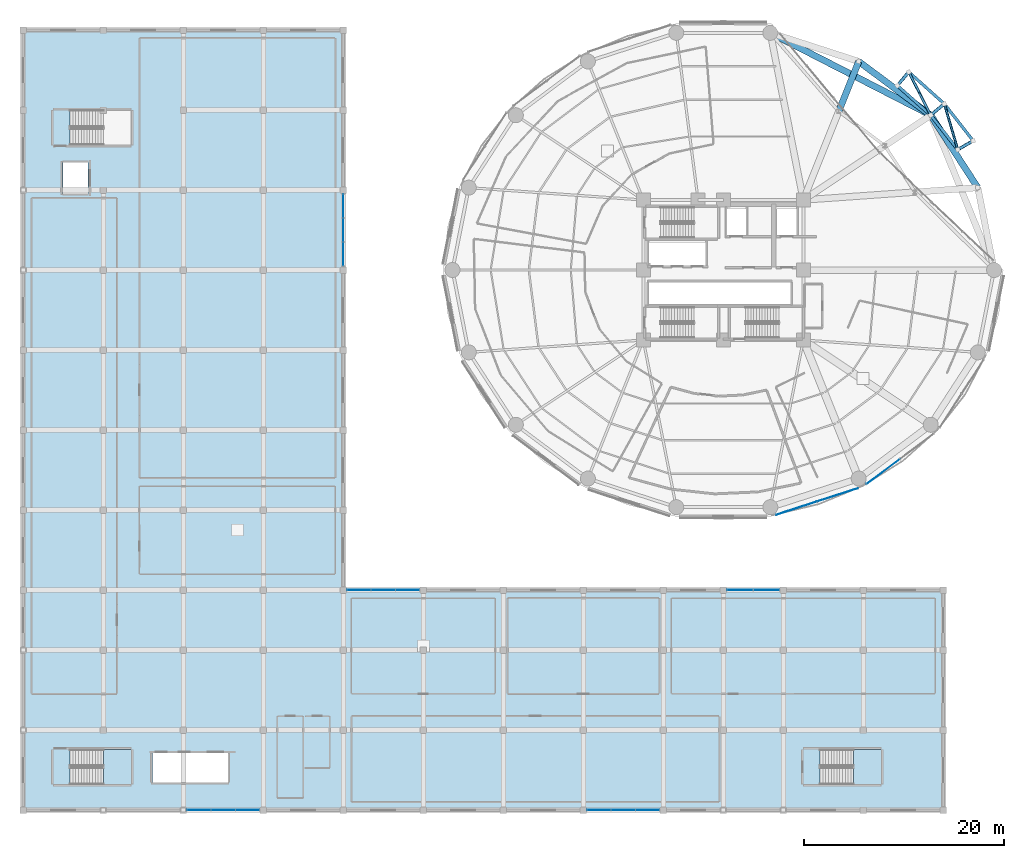
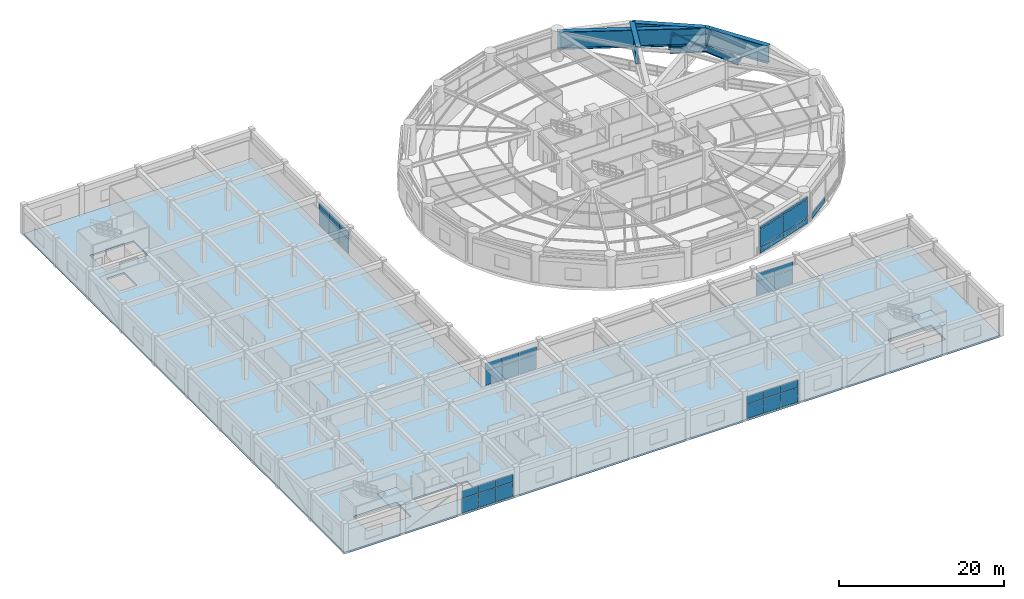
# One storey, part 36 of 52: 35 plates, 8 beams, 5 members, 3 slabs, 9 elements without a shape of their own.
"""IFC4 building model written with IfcOpenShell, lengths in metres."""

from ifc_helpers import new_model, si_unit, direction, frame, origin, origin_2d, place, context, subcontext, project, spatial, polyline, rectangle, hollow_circle, i_section, outline, extrude, source, transform, mapped, material, layer, layer_set, material_profile, profile_set, type_object, element, aggregate, save


model = new_model("IFC4")

# Units and contexts
model_context = context("Model", 3, precision=1e-05, world=origin(), true_north=direction((0.0, 1.0)))
body_context = subcontext(model_context, "Body", "Model", "MODEL_VIEW")
ifc_project = project(units=[si_unit("LENGTHUNIT", "METRE"), si_unit("AREAUNIT", "SQUARE_METRE"), si_unit("VOLUMEUNIT", "CUBIC_METRE"), si_unit("PLANEANGLEUNIT", "RADIAN"), si_unit("MASSUNIT", "GRAM", prefix="KILO")], contexts=[model_context])

# Site, building, storey
site_placement = place(None, origin())
site = spatial("IfcSite", under=ifc_project, at=site_placement, CompositionType="ELEMENT")
building_placement = place(site_placement, origin())
building = spatial("IfcBuilding", under=site, at=building_placement, Name="Kelanora Arch Commons", CompositionType="ELEMENT")
storey_placement = place(building_placement, frame((0.0, 0.0, 13.5)))
storey = spatial("IfcBuildingStorey", under=building, at=storey_placement, Name="L03", CompositionType="ELEMENT", Elevation=13.5)

# Beams
ifc_material_1 = material(Name="Steel S355", Category="steel")
ifc_material_profile_1 = material_profile(ifc_material_1, i_section(OverallWidth=0.302001953125, OverallDepth=1.008056640625, WebThickness=0.02099609375, FlangeThickness=0.0400390625, FilletRadius=0.030029296875, at=origin_2d()), Name="HEM1000")
ifc_profile_set_1 = profile_set([ifc_material_profile_1], Name="Steel S355")
beam_type_1 = type_object("IfcBeamType", Name="BM-ARCH-RIB", PredefinedType="USERDEFINED", material=ifc_profile_set_1)
beam_1_placement = place(storey_placement, frame((97.451904296875, 70.0400390625, 0.012451171875), z_axis=(-0.606334910143, 0.769974259652, 0.19874007199), x_axis=(-0.785646144125, -0.618676115767, 0.0)))
element("IfcBeam", 1, at=beam_1_placement, inside=storey, type_object=beam_type_1, Name="Parabolic Giant Arch Inner Rib 04", ObjectType="ARCH_RIB", PredefinedType="USERDEFINED", context=body_context, shape_type="SweptSolid", body=[
    extrude(i_section(OverallWidth=0.302001953125, OverallDepth=1.008056640625, WebThickness=0.02099609375, FlangeThickness=0.0400390625, FilletRadius=0.030029296875, at=origin_2d()), origin(), (0.0, 0.0, 1.0), 4.46533203125),
])
beam_2_placement = place(storey_placement, frame((98.98486328125, 70.925048828125, 1.324951171875), z_axis=(-0.602829330005, 0.771407248442, 0.203783355399), x_axis=(-0.787941404513, -0.615750227814, 0.0)))
element("IfcBeam", 2, at=beam_2_placement, inside=storey, type_object=beam_type_1, Name="Parabolic Giant Arch Outer Rib 04", ObjectType="ARCH_RIB", PredefinedType="USERDEFINED", context=body_context, shape_type="SweptSolid", body=[
    extrude(i_section(OverallWidth=0.302001953125, OverallDepth=1.008056640625, WebThickness=0.02099609375, FlangeThickness=0.0400390625, FilletRadius=0.030029296875, at=origin_2d()), origin(), (0.0, 0.0, 1.0), 4.784912109375),
])
beam_3_placement = place(storey_placement, frame((94.744384765625, 73.478271484375, 0.89990234375), z_axis=(-0.732945611445, 0.651775276011, -0.194883863478), x_axis=(-0.664516499422, -0.747273592465, 0.0)))
element("IfcBeam", 3, at=beam_3_placement, inside=storey, type_object=beam_type_1, Name="Parabolic Giant Arch Inner Rib 05", ObjectType="ARCH_RIB", PredefinedType="USERDEFINED", context=body_context, shape_type="SweptSolid", body=[
    extrude(i_section(OverallWidth=0.302001953125, OverallDepth=1.008056640625, WebThickness=0.02099609375, FlangeThickness=0.0400390625, FilletRadius=0.030029296875, at=origin_2d()), origin(), (0.0, 0.0, 1.0), 4.5537109375),
])
beam_4_placement = place(storey_placement, frame((96.100341796875, 74.6162109375, 2.300048828125), z_axis=(-0.729716597871, 0.653814047526, -0.200102169028), x_axis=(-0.667310375583, -0.744779741024, 0.0)))
element("IfcBeam", 4, at=beam_4_placement, inside=storey, type_object=beam_type_1, Name="Parabolic Giant Arch Outer Rib 05", ObjectType="ARCH_RIB", PredefinedType="USERDEFINED", context=body_context, shape_type="SweptSolid", body=[
    extrude(i_section(OverallWidth=0.302001953125, OverallDepth=1.008056640625, WebThickness=0.02099609375, FlangeThickness=0.0400390625, FilletRadius=0.030029296875, at=origin_2d()), origin(), (0.0, 0.0, 1.0), 4.873046875),
])
ifc_material_profile_2 = material_profile(ifc_material_1, i_section(OverallWidth=0.64990234375, OverallDepth=2.60009765625, WebThickness=0.034912109375, FlangeThickness=0.054931640625, FilletRadius=0.028076171875, at=origin_2d()), Name="PG2600x650")
ifc_profile_set_2 = profile_set([ifc_material_profile_2], Name="Steel S355")
beam_type_2 = type_object("IfcBeamType", Name="BM-XFER-ARCH", PredefinedType="USERDEFINED", material=ifc_profile_set_2)
beam_5_placement = place(storey_placement, frame((85.545654296875, 73.866455078125, 2.800048828125), z_axis=(0.371288801302, 0.928517434423, 0.0), x_axis=(-0.928517434423, 0.371288801302, 0.0)))
element("IfcBeam", 5, at=beam_5_placement, inside=storey, type_object=beam_type_2, Name="Radial Floor Girder BR-06 L03", ObjectType="TRANSFER_GIRDER", PredefinedType="USERDEFINED", context=body_context, shape_type="SweptSolid", body=[
    extrude(i_section(OverallWidth=0.64990234375, OverallDepth=2.60009765625, WebThickness=0.034912109375, FlangeThickness=0.054931640625, FilletRadius=0.028076171875, at=origin_2d()), origin(), (0.0, 0.0, 1.0), 5.37158203125),
])
beam_6_placement = place(storey_placement, frame((99.447021484375, 66.23583984375, 2.800048828125), z_axis=(-0.544585813928, 0.838705127722, 0.0), x_axis=(-0.838705127722, -0.544585813928, 0.0)))
element("IfcBeam", 6, at=beam_6_placement, inside=storey, type_object=beam_type_2, Name="Perimeter Spandrel Beam BS-02 L03", ObjectType="TRANSFER_GIRDER", PredefinedType="USERDEFINED", context=body_context, shape_type="SweptSolid", body=[
    extrude(i_section(OverallWidth=0.64990234375, OverallDepth=2.60009765625, WebThickness=0.034912109375, FlangeThickness=0.054931640625, FilletRadius=0.028076171875, at=origin_2d()), origin(), (0.0, 0.0, 1.0), 8.63525390625),
])
beam_7_placement = place(storey_placement, frame((94.744384765625, 73.478271484375, 2.800048828125), z_axis=(-0.801467504127, 0.598038326388, 0.0), x_axis=(-0.598038326388, -0.801467504127, 0.0)))
element("IfcBeam", 7, at=beam_7_placement, inside=storey, type_object=beam_type_2, Name="Perimeter Spandrel Beam BS-04 L03", ObjectType="TRANSFER_GIRDER", PredefinedType="USERDEFINED", context=body_context, shape_type="SweptSolid", body=[
    extrude(i_section(OverallWidth=0.64990234375, OverallDepth=2.60009765625, WebThickness=0.034912109375, FlangeThickness=0.054931640625, FilletRadius=0.028076171875, at=origin_2d()), origin(), (0.0, 0.0, 1.0), 8.989013671875),
])
beam_8_placement = place(storey_placement, frame((94.744384765625, 73.478271484375, 2.800048828125), z_axis=(-0.889610729685, 0.456719552493, 0.0), x_axis=(-0.456719552493, -0.889610729685, 0.0)))
element("IfcBeam", 8, at=beam_8_placement, inside=storey, type_object=beam_type_2, Name="Giant Arch Portal Crown Transfer Girder 2", ObjectType="TRANSFER_GIRDER", PredefinedType="USERDEFINED", context=body_context, shape_type="SweptSolid", body=[
    extrude(i_section(OverallWidth=0.64990234375, OverallDepth=2.60009765625, WebThickness=0.034912109375, FlangeThickness=0.054931640625, FilletRadius=0.028076171875, at=origin_2d()), origin(), (0.0, 0.0, 1.0), 18.03271484375),
])

# Members
ifc_material_profile_3 = material_profile(ifc_material_1, hollow_circle(Radius=0.136474609375, WallThickness=0.012451171875, at=origin_2d()), Name="CHS273x12.5")
ifc_profile_set_3 = profile_set([ifc_material_profile_3], Name="Steel S355")
member_type_1 = type_object("IfcMemberType", Name="MEM-MKT-BRACE", PredefinedType="BRACE", material=ifc_profile_set_3)
member_1_placement = place(storey_placement, frame((97.451904296875, 70.0400390625, 0.012451171875), z_axis=(-0.255415952854, 0.864797077365, 0.432306264133), x_axis=(-0.959045510231, -0.283252024362, 0.0)))
element("IfcMember", 9, at=member_1_placement, inside=storey, type_object=member_type_1, Name="Giant Arch Spatial Diagonal Lacing 04", PredefinedType="BRACE", context=body_context, shape_type="SweptSolid", body=[
    extrude(hollow_circle(Radius=0.136474609375, WallThickness=0.012451171875, at=origin_2d()), origin(), (0.0, 0.0, 1.0), 5.29150390625),
])
member_2_placement = place(storey_placement, frame((94.744384765625, 73.478271484375, 0.89990234375), z_axis=(-0.451732419528, 0.887874029771, 0.087278453268), x_axis=(-0.891275176221, -0.453462854324, 0.0)))
element("IfcMember", 10, at=member_2_placement, inside=storey, type_object=member_type_1, Name="Giant Arch Spatial Diagonal Lacing 05", PredefinedType="BRACE", context=body_context, shape_type="SweptSolid", body=[
    extrude(hollow_circle(Radius=0.136474609375, WallThickness=0.012451171875, at=origin_2d()), origin(), (0.0, 0.0, 1.0), 4.8701171875),
])
ifc_material_profile_4 = material_profile(ifc_material_1, hollow_circle(Radius=0.161865234375, WallThickness=0.01611328125, at=origin_2d()), Name="CHS323.9x16")
ifc_profile_set_4 = profile_set([ifc_material_profile_4], Name="Steel S355")
member_type_2 = type_object("IfcMemberType", Name="MEM-MKT-CHORD", PredefinedType="CHORD", material=ifc_profile_set_4)
member_3_placement = place(storey_placement, frame((97.451904296875, 70.0400390625, 0.012451171875), z_axis=(0.695660551685, 0.40161960501, 0.595615723182), x_axis=(-0.499981137809, 0.866036293601, 0.0)))
element("IfcMember", 11, at=member_3_placement, inside=storey, type_object=member_type_2, Name="Giant Arch Transverse Strut 03", PredefinedType="CHORD", context=body_context, shape_type="SweptSolid", body=[
    extrude(hollow_circle(Radius=0.161865234375, WallThickness=0.01611328125, at=origin_2d()), origin(), (0.0, 0.0, 1.0), 2.20361328125),
])
member_4_placement = place(storey_placement, frame((94.744384765625, 73.478271484375, 0.89990234375), z_axis=(0.600785153413, 0.504187900622, 0.620364215848), x_axis=(-0.642839458497, 0.766000933811, 0.0)))
element("IfcMember", 12, at=member_4_placement, inside=storey, type_object=member_type_2, Name="Giant Arch Transverse Strut 04", PredefinedType="CHORD", context=body_context, shape_type="SweptSolid", body=[
    extrude(hollow_circle(Radius=0.161865234375, WallThickness=0.01611328125, at=origin_2d()), origin(), (0.0, 0.0, 1.0), 2.257080078125),
])
member_5_placement = place(storey_placement, frame((91.40673828125, 76.4462890625, 0.012451171875), z_axis=(0.516301443406, 0.615351548643, 0.595630163037), x_axis=(-0.766068848922, 0.642758522862, 0.0)))
element("IfcMember", 13, at=member_5_placement, inside=storey, type_object=member_type_2, Name="Giant Arch Transverse Strut 05", PredefinedType="CHORD", context=body_context, shape_type="SweptSolid", body=[
    extrude(hollow_circle(Radius=0.161865234375, WallThickness=0.01611328125, at=origin_2d()), origin(), (0.0, 0.0, 1.0), 2.20361328125),
])

# Slab
ifc_material_2 = material(Name="Concrete C40/50", Category="concrete")
ifc_layer_1 = layer(ifc_material_2, 0.260009765625)
ifc_layer_set_1 = layer_set([ifc_layer_1], Name="Concrete C40/50")
slab_type_1 = type_object("IfcSlabType", Name="SLB-MKT-SUSP", PredefinedType="FLOOR", material=ifc_layer_set_1)
slab_1_placement = place(storey_placement, frame((0.0, 0.0, -0.260009765625)))
element("IfcSlab", 14, at=slab_1_placement, inside=storey, type_object=slab_type_1, Name="Market Hall Floor Slab L03", PredefinedType="FLOOR", context=body_context, shape_type="SweptSolid", body=[
    extrude(outline(polyline([(4.0, 4.0), (96.0, 4.0), (96.0, 26.0), (36.0, 26.0), (36.0, 82.0), (4.0, 82.0), (4.0, 4.0)]), holes=[polyline([(24.449951171875, 6.75), (16.89990234375, 6.75), (16.89990234375, 9.699951171875), (24.449951171875, 9.699951171875), (24.449951171875, 6.75)]), polyline([(14.7919921875, 6.568115234375), (8.68798828125, 6.568115234375), (8.68798828125, 10.06201171875), (14.7919921875, 10.06201171875), (14.7919921875, 6.568115234375)]), polyline([(89.7919921875, 6.568115234375), (83.68798828125, 6.568115234375), (83.68798828125, 10.06201171875), (89.7919921875, 10.06201171875), (89.7919921875, 6.568115234375)]), polyline([(7.949951171875, 65.64990234375), (7.949951171875, 68.75), (10.449951171875, 68.75), (10.449951171875, 65.64990234375), (7.949951171875, 65.64990234375)]), polyline([(8.68798828125, 70.488037109375), (8.68798828125, 73.98193359375), (14.7919921875, 73.98193359375), (14.7919921875, 70.488037109375), (8.68798828125, 70.488037109375)])]), origin(), (0.0, 0.0, 1.0), 0.260009765625),
])

# Stair, slab
stair_type = type_object("IfcStairType", Name="STR-DL-450", PredefinedType="HALF_TURN_STAIR", material=ifc_material_2)
stair_1_placement = place(storey_placement, origin())
stair_1 = element("IfcStair", 15, at=stair_1_placement, inside=storey, type_object=stair_type, Name="L03 ST-M1", PredefinedType="HALF_TURN_STAIR")
ifc_layer_2 = layer(ifc_material_2, 0.199951171875)
ifc_layer_set_2 = layer_set([ifc_layer_2], Name="Concrete C40/50")
slab_type_2 = type_object("IfcSlabType", Name="SLB-STAIR-LND", PredefinedType="LANDING", material=ifc_layer_set_2)
slab_2_placement = place(storey_placement, frame((0.0, 0.0, 2.050048828125)))
slab_2 = element("IfcSlab", 16, at=slab_2_placement, type_object=slab_type_2, Name="ST-M1 landing 1", PredefinedType="LANDING", context=body_context, shape_type="SweptSolid", body=[
    extrude(outline(polyline([(12.0400390625, 6.56005859375), (14.800048828125, 6.56005859375), (14.800048828125, 10.070068359375), (12.0400390625, 10.070068359375), (12.0400390625, 6.56005859375)])), origin(), (0.0, 0.0, 1.0), 0.199951171875),
])
aggregate(stair_1, [slab_2])

stair_2_placement = place(storey_placement, origin())
stair_2 = element("IfcStair", 17, at=stair_2_placement, inside=storey, type_object=stair_type, Name="L03 ST-M2", PredefinedType="HALF_TURN_STAIR")
slab_3_placement = place(storey_placement, frame((0.0, 0.0, 2.050048828125)))
slab_3 = element("IfcSlab", 18, at=slab_3_placement, type_object=slab_type_2, Name="ST-M2 landing 1", PredefinedType="LANDING", context=body_context, shape_type="SweptSolid", body=[
    extrude(outline(polyline([(87.0400390625, 6.56005859375), (89.800048828125, 6.56005859375), (89.800048828125, 10.070068359375), (87.0400390625, 10.070068359375), (87.0400390625, 6.56005859375)])), origin(), (0.0, 0.0, 1.0), 0.199951171875),
])
aggregate(stair_2, [slab_3])

# Curtain wall, plates
ifc_material_3 = material(Name="Terracotta ceramic-fritted low-E glass and aluminium", Category="masonry")
ifc_layer_3 = layer(ifc_material_3, 0.2099609375)
ifc_layer_set_3 = layer_set([ifc_layer_3], Name="Terracotta ceramic-fritted low-E glass and aluminium")
curtain_wall_type_1 = type_object("IfcCurtainWallType", Name="CW-SYS-04", PredefinedType="NOTDEFINED", material=ifc_layer_set_3)
curtain_wall_1_placement = place(storey_placement, origin())
curtain_wall_1 = element("IfcCurtainWall", 19, at=curtain_wall_1_placement, inside=storey, type_object=curtain_wall_type_1, Name="Unitised Curtain Wall L03-B14", PredefinedType="NOTDEFINED")
ifc_material_4 = material(Name="Clear laminated solar-control double glazing", Category="glass")
ifc_layer_4 = layer(ifc_material_4, 0.033935546875)
ifc_layer_set_4 = layer_set([ifc_layer_4], Name="Clear laminated solar-control double glazing")
plate_type = type_object("IfcPlateType", Name="CWP-CLR", PredefinedType="CURTAIN_PANEL", material=ifc_layer_set_4)
shared_shape_1 = source(origin(), body_context, "Body", "SweptSolid", [
    extrude(rectangle(XDim=4.28466796875, YDim=0.033935546875, at=origin_2d()), origin(), (0.0, 0.0, 1.0), 0.81005859375),
])
plate_1_placement = place(storey_placement, frame((81.3173828125, 34.177734375, 0.06005859375), z_axis=(0.0, 0.0, 1.0), x_axis=(0.951039444211, 0.309069531911, 0.0)))
plate_1 = element("IfcPlate", 20, at=plate_1_placement, type_object=plate_type, Name="CW-04 panel 1.1", PredefinedType="CURTAIN_PANEL", context=body_context, shape_type="MappedRepresentation", body=[
    mapped(shared_shape_1, transform((0.0, 0.0, 0.0), scale=1.0)),
])
plate_2_placement = place(storey_placement, frame((85.44921875, 35.5205078125, 0.06005859375), z_axis=(0.0, 0.0, 1.0), x_axis=(0.951039444211, 0.309069531911, 0.0)))
plate_2 = element("IfcPlate", 21, at=plate_2_placement, type_object=plate_type, Name="CW-04 panel 2.1", PredefinedType="CURTAIN_PANEL", context=body_context, shape_type="MappedRepresentation", body=[
    mapped(shared_shape_1, transform((0.0, 0.0, 0.0), scale=1.0)),
])
shared_shape_2 = source(origin(), body_context, "Body", "SweptSolid", [
    extrude(rectangle(XDim=4.28466796875, YDim=0.033935546875, at=origin_2d()), origin(), (0.0, 0.0, 1.0), 2.625),
])
plate_3_placement = place(storey_placement, frame((81.3173828125, 34.177734375, 0.929931640625), z_axis=(0.0, 0.0, 1.0), x_axis=(0.951039444211, 0.309069531911, 0.0)))
plate_3 = element("IfcPlate", 22, at=plate_3_placement, type_object=plate_type, Name="CW-04 panel 1.2", PredefinedType="CURTAIN_PANEL", context=body_context, shape_type="MappedRepresentation", body=[
    mapped(shared_shape_2, transform((0.0, 0.0, 0.0), scale=1.0)),
])
plate_4_placement = place(storey_placement, frame((85.44921875, 35.5205078125, 0.929931640625), z_axis=(0.0, 0.0, 1.0), x_axis=(0.951039444211, 0.309069531911, 0.0)))
plate_4 = element("IfcPlate", 23, at=plate_4_placement, type_object=plate_type, Name="CW-04 panel 2.2", PredefinedType="CURTAIN_PANEL", context=body_context, shape_type="MappedRepresentation", body=[
    mapped(shared_shape_2, transform((0.0, 0.0, 0.0), scale=1.0)),
])
shared_shape_3 = source(origin(), body_context, "Body", "SweptSolid", [
    extrude(rectangle(XDim=4.28466796875, YDim=0.033935546875, at=origin_2d()), origin(), (0.0, 0.0, 1.0), 0.409912109375),
])
plate_5_placement = place(storey_placement, frame((81.3173828125, 34.177734375, 3.615234375), z_axis=(0.0, 0.0, 1.0), x_axis=(0.951039444211, 0.309069531911, 0.0)))
plate_5 = element("IfcPlate", 24, at=plate_5_placement, type_object=plate_type, Name="CW-04 panel 1.3", PredefinedType="CURTAIN_PANEL", context=body_context, shape_type="MappedRepresentation", body=[
    mapped(shared_shape_3, transform((0.0, 0.0, 0.0), scale=1.0)),
])
plate_6_placement = place(storey_placement, frame((85.44921875, 35.5205078125, 3.615234375), z_axis=(0.0, 0.0, 1.0), x_axis=(0.951039444211, 0.309069531911, 0.0)))
plate_6 = element("IfcPlate", 25, at=plate_6_placement, type_object=plate_type, Name="CW-04 panel 2.3", PredefinedType="CURTAIN_PANEL", context=body_context, shape_type="MappedRepresentation", body=[
    mapped(shared_shape_3, transform((0.0, 0.0, 0.0), scale=1.0)),
])
aggregate(curtain_wall_1, [plate_1, plate_3, plate_5, plate_2, plate_4, plate_6])

# Curtain wall, plate
curtain_wall_2_placement = place(storey_placement, origin())
curtain_wall_2 = element("IfcCurtainWall", 26, at=curtain_wall_2_placement, inside=storey, type_object=curtain_wall_type_1, Name="Unitised Curtain Wall L03-B15", PredefinedType="NOTDEFINED")
shared_shape_4 = source(origin(), body_context, "Body", "SweptSolid", [
    extrude(rectangle(XDim=4.133056640625, YDim=0.033935546875, at=origin_2d()), origin(), (0.0, 0.0, 1.0), 0.81005859375),
])
plate_7_placement = place(storey_placement, frame((89.9833984375, 37.835205078125, 0.06005859375), z_axis=(0.0, 0.0, 1.0), x_axis=(0.800305369944, 0.59959262407, 0.0)))
plate_7 = element("IfcPlate", 27, at=plate_7_placement, type_object=plate_type, Name="CW-04 panel 1.1", PredefinedType="CURTAIN_PANEL", context=body_context, shape_type="MappedRepresentation", body=[
    mapped(shared_shape_4, transform((0.0, 0.0, 0.0), scale=1.0)),
])
aggregate(curtain_wall_2, [plate_7])

# Curtain wall, plates
ifc_layer_5 = layer(ifc_material_3, 0.16796875)
ifc_layer_set_5 = layer_set([ifc_layer_5], Name="Terracotta ceramic-fritted low-E glass and aluminium")
curtain_wall_type_2 = type_object("IfcCurtainWallType", Name="CW-SYS-07", PredefinedType="NOTDEFINED", material=ifc_layer_set_5)
curtain_wall_3_placement = place(storey_placement, origin())
curtain_wall_3 = element("IfcCurtainWall", 28, at=curtain_wall_3_placement, inside=storey, type_object=curtain_wall_type_2, Name="Market Hall Arcade Curtain Wall L03-02", PredefinedType="NOTDEFINED")
shared_shape_5 = source(origin(), body_context, "Body", "SweptSolid", [
    extrude(rectangle(XDim=2.34326171875, YDim=0.033935546875, at=origin_2d()), origin(), (0.0, 0.0, 1.0), 2.110107421875),
])
plate_8_placement = place(storey_placement, frame((21.581787109375, 4.0, 0.06005859375), z_axis=(0.0, 0.0, 1.0), x_axis=(1.0, 0.0, 0.0)))
plate_8 = element("IfcPlate", 29, at=plate_8_placement, type_object=plate_type, Name="CW-07 panel 1.1", PredefinedType="CURTAIN_PANEL", context=body_context, shape_type="MappedRepresentation", body=[
    mapped(shared_shape_5, transform((0.0, 0.0, 0.0), scale=1.0)),
])
plate_9_placement = place(storey_placement, frame((26.418212890625, 4.0, 0.06005859375), z_axis=(0.0, 0.0, 1.0), x_axis=(1.0, 0.0, 0.0)))
plate_9 = element("IfcPlate", 30, at=plate_9_placement, type_object=plate_type, Name="CW-07 panel 3.1", PredefinedType="CURTAIN_PANEL", context=body_context, shape_type="MappedRepresentation", body=[
    mapped(shared_shape_5, transform((0.0, 0.0, 0.0), scale=1.0)),
])

curtain_wall_4_placement = place(storey_placement, origin())
curtain_wall_4 = element("IfcCurtainWall", 31, at=curtain_wall_4_placement, inside=storey, type_object=curtain_wall_type_2, Name="Market Hall Arcade Curtain Wall L03-07", PredefinedType="NOTDEFINED")
plate_10_placement = place(storey_placement, frame((61.581787109375, 4.0, 0.06005859375), z_axis=(0.0, 0.0, 1.0), x_axis=(1.0, 0.0, 0.0)))
plate_10 = element("IfcPlate", 32, at=plate_10_placement, type_object=plate_type, Name="CW-07 panel 1.1", PredefinedType="CURTAIN_PANEL", context=body_context, shape_type="MappedRepresentation", body=[
    mapped(shared_shape_5, transform((0.0, 0.0, 0.0), scale=1.0)),
])
plate_11_placement = place(storey_placement, frame((66.418212890625, 4.0, 0.06005859375), z_axis=(0.0, 0.0, 1.0), x_axis=(1.0, 0.0, 0.0)))
plate_11 = element("IfcPlate", 33, at=plate_11_placement, type_object=plate_type, Name="CW-07 panel 3.1", PredefinedType="CURTAIN_PANEL", context=body_context, shape_type="MappedRepresentation", body=[
    mapped(shared_shape_5, transform((0.0, 0.0, 0.0), scale=1.0)),
])

curtain_wall_5_placement = place(storey_placement, origin())
curtain_wall_5 = element("IfcCurtainWall", 34, at=curtain_wall_5_placement, inside=storey, type_object=curtain_wall_type_2, Name="Market Hall Arcade Curtain Wall L03-22", PredefinedType="NOTDEFINED")
plate_12_placement = place(storey_placement, frame((42.418212890625, 26.0, 0.06005859375), z_axis=(0.0, 0.0, 1.0), x_axis=(-1.0, 0.0, 0.0)))
plate_12 = element("IfcPlate", 35, at=plate_12_placement, type_object=plate_type, Name="CW-07 panel 1.1", PredefinedType="CURTAIN_PANEL", context=body_context, shape_type="MappedRepresentation", body=[
    mapped(shared_shape_5, transform((0.0, 0.0, 0.0), scale=1.0)),
])
plate_13_placement = place(storey_placement, frame((37.581787109375, 26.0, 0.06005859375), z_axis=(0.0, 0.0, 1.0), x_axis=(-1.0, 0.0, 0.0)))
plate_13 = element("IfcPlate", 36, at=plate_13_placement, type_object=plate_type, Name="CW-07 panel 3.1", PredefinedType="CURTAIN_PANEL", context=body_context, shape_type="MappedRepresentation", body=[
    mapped(shared_shape_5, transform((0.0, 0.0, 0.0), scale=1.0)),
])

curtain_wall_6_placement = place(storey_placement, origin())
curtain_wall_6 = element("IfcCurtainWall", 37, at=curtain_wall_6_placement, inside=storey, type_object=curtain_wall_type_2, Name="Market Hall Arcade Curtain Wall L03-27", PredefinedType="NOTDEFINED")
plate_14_placement = place(storey_placement, frame((36.0, 59.581787109375, 0.06005859375), z_axis=(0.0, 0.0, 1.0), x_axis=(0.0, 1.0, 0.0)))
plate_14 = element("IfcPlate", 38, at=plate_14_placement, type_object=plate_type, Name="CW-07 panel 1.1", PredefinedType="CURTAIN_PANEL", context=body_context, shape_type="MappedRepresentation", body=[
    mapped(shared_shape_5, transform((0.0, 0.0, 0.0), scale=1.0)),
])
plate_15_placement = place(storey_placement, frame((36.0, 64.418212890625, 0.06005859375), z_axis=(0.0, 0.0, 1.0), x_axis=(0.0, 1.0, 0.0)))
plate_15 = element("IfcPlate", 39, at=plate_15_placement, type_object=plate_type, Name="CW-07 panel 3.1", PredefinedType="CURTAIN_PANEL", context=body_context, shape_type="MappedRepresentation", body=[
    mapped(shared_shape_5, transform((0.0, 0.0, 0.0), scale=1.0)),
])

# Plate
shared_shape_6 = source(origin(), body_context, "Body", "SweptSolid", [
    extrude(rectangle(XDim=2.34326171875, YDim=0.033935546875, at=origin_2d()), origin(), (0.0, 0.0, 1.0), 1.1298828125),
])
plate_16_placement = place(storey_placement, frame((21.581787109375, 4.0, 2.22998046875), z_axis=(0.0, 0.0, 1.0), x_axis=(1.0, 0.0, 0.0)))
plate_16 = element("IfcPlate", 40, at=plate_16_placement, type_object=plate_type, Name="CW-07 panel 1.2", PredefinedType="CURTAIN_PANEL", context=body_context, shape_type="MappedRepresentation", body=[
    mapped(shared_shape_6, transform((0.0, 0.0, 0.0), scale=1.0)),
])

plate_17_placement = place(storey_placement, frame((26.418212890625, 4.0, 2.22998046875), z_axis=(0.0, 0.0, 1.0), x_axis=(1.0, 0.0, 0.0)))
plate_17 = element("IfcPlate", 41, at=plate_17_placement, type_object=plate_type, Name="CW-07 panel 3.2", PredefinedType="CURTAIN_PANEL", context=body_context, shape_type="MappedRepresentation", body=[
    mapped(shared_shape_6, transform((0.0, 0.0, 0.0), scale=1.0)),
])

plate_18_placement = place(storey_placement, frame((61.581787109375, 4.0, 2.22998046875), z_axis=(0.0, 0.0, 1.0), x_axis=(1.0, 0.0, 0.0)))
plate_18 = element("IfcPlate", 42, at=plate_18_placement, type_object=plate_type, Name="CW-07 panel 1.2", PredefinedType="CURTAIN_PANEL", context=body_context, shape_type="MappedRepresentation", body=[
    mapped(shared_shape_6, transform((0.0, 0.0, 0.0), scale=1.0)),
])

plate_19_placement = place(storey_placement, frame((66.418212890625, 4.0, 2.22998046875), z_axis=(0.0, 0.0, 1.0), x_axis=(1.0, 0.0, 0.0)))
plate_19 = element("IfcPlate", 43, at=plate_19_placement, type_object=plate_type, Name="CW-07 panel 3.2", PredefinedType="CURTAIN_PANEL", context=body_context, shape_type="MappedRepresentation", body=[
    mapped(shared_shape_6, transform((0.0, 0.0, 0.0), scale=1.0)),
])

plate_20_placement = place(storey_placement, frame((42.418212890625, 26.0, 2.22998046875), z_axis=(0.0, 0.0, 1.0), x_axis=(-1.0, 0.0, 0.0)))
plate_20 = element("IfcPlate", 44, at=plate_20_placement, type_object=plate_type, Name="CW-07 panel 1.2", PredefinedType="CURTAIN_PANEL", context=body_context, shape_type="MappedRepresentation", body=[
    mapped(shared_shape_6, transform((0.0, 0.0, 0.0), scale=1.0)),
])

plate_21_placement = place(storey_placement, frame((37.581787109375, 26.0, 2.22998046875), z_axis=(0.0, 0.0, 1.0), x_axis=(-1.0, 0.0, 0.0)))
plate_21 = element("IfcPlate", 45, at=plate_21_placement, type_object=plate_type, Name="CW-07 panel 3.2", PredefinedType="CURTAIN_PANEL", context=body_context, shape_type="MappedRepresentation", body=[
    mapped(shared_shape_6, transform((0.0, 0.0, 0.0), scale=1.0)),
])

plate_22_placement = place(storey_placement, frame((36.0, 59.581787109375, 2.22998046875), z_axis=(0.0, 0.0, 1.0), x_axis=(0.0, 1.0, 0.0)))
plate_22 = element("IfcPlate", 46, at=plate_22_placement, type_object=plate_type, Name="CW-07 panel 1.2", PredefinedType="CURTAIN_PANEL", context=body_context, shape_type="MappedRepresentation", body=[
    mapped(shared_shape_6, transform((0.0, 0.0, 0.0), scale=1.0)),
])

plate_23_placement = place(storey_placement, frame((36.0, 64.418212890625, 2.22998046875), z_axis=(0.0, 0.0, 1.0), x_axis=(0.0, 1.0, 0.0)))
plate_23 = element("IfcPlate", 47, at=plate_23_placement, type_object=plate_type, Name="CW-07 panel 3.2", PredefinedType="CURTAIN_PANEL", context=body_context, shape_type="MappedRepresentation", body=[
    mapped(shared_shape_6, transform((0.0, 0.0, 0.0), scale=1.0)),
])

shared_shape_7 = source(origin(), body_context, "Body", "SweptSolid", [
    extrude(rectangle(XDim=2.373291015625, YDim=0.033935546875, at=origin_2d()), origin(), (0.0, 0.0, 1.0), 2.110107421875),
])
plate_24_placement = place(storey_placement, frame((24.0, 4.0, 0.06005859375), z_axis=(0.0, 0.0, 1.0), x_axis=(1.0, 0.0, 0.0)))
plate_24 = element("IfcPlate", 48, at=plate_24_placement, type_object=plate_type, Name="CW-07 panel 2.1", PredefinedType="CURTAIN_PANEL", context=body_context, shape_type="MappedRepresentation", body=[
    mapped(shared_shape_7, transform((0.0, 0.0, 0.0), scale=1.0)),
])

plate_25_placement = place(storey_placement, frame((64.0, 4.0, 0.06005859375), z_axis=(0.0, 0.0, 1.0), x_axis=(1.0, 0.0, 0.0)))
plate_25 = element("IfcPlate", 49, at=plate_25_placement, type_object=plate_type, Name="CW-07 panel 2.1", PredefinedType="CURTAIN_PANEL", context=body_context, shape_type="MappedRepresentation", body=[
    mapped(shared_shape_7, transform((0.0, 0.0, 0.0), scale=1.0)),
])

plate_26_placement = place(storey_placement, frame((40.0, 26.0, 0.06005859375), z_axis=(0.0, 0.0, 1.0), x_axis=(-1.0, 0.0, 0.0)))
plate_26 = element("IfcPlate", 50, at=plate_26_placement, type_object=plate_type, Name="CW-07 panel 2.1", PredefinedType="CURTAIN_PANEL", context=body_context, shape_type="MappedRepresentation", body=[
    mapped(shared_shape_7, transform((0.0, 0.0, 0.0), scale=1.0)),
])

plate_27_placement = place(storey_placement, frame((36.0, 62.0, 0.06005859375), z_axis=(0.0, 0.0, 1.0), x_axis=(0.0, 1.0, 0.0)))
plate_27 = element("IfcPlate", 51, at=plate_27_placement, type_object=plate_type, Name="CW-07 panel 2.1", PredefinedType="CURTAIN_PANEL", context=body_context, shape_type="MappedRepresentation", body=[
    mapped(shared_shape_7, transform((0.0, 0.0, 0.0), scale=1.0)),
])

shared_shape_8 = source(origin(), body_context, "Body", "SweptSolid", [
    extrude(rectangle(XDim=2.373291015625, YDim=0.033935546875, at=origin_2d()), origin(), (0.0, 0.0, 1.0), 1.1298828125),
])
plate_28_placement = place(storey_placement, frame((24.0, 4.0, 2.22998046875), z_axis=(0.0, 0.0, 1.0), x_axis=(1.0, 0.0, 0.0)))
plate_28 = element("IfcPlate", 52, at=plate_28_placement, type_object=plate_type, Name="CW-07 panel 2.2", PredefinedType="CURTAIN_PANEL", context=body_context, shape_type="MappedRepresentation", body=[
    mapped(shared_shape_8, transform((0.0, 0.0, 0.0), scale=1.0)),
])

aggregate(curtain_wall_3, [plate_8, plate_16, plate_24, plate_28, plate_9, plate_17])

plate_29_placement = place(storey_placement, frame((64.0, 4.0, 2.22998046875), z_axis=(0.0, 0.0, 1.0), x_axis=(1.0, 0.0, 0.0)))
plate_29 = element("IfcPlate", 53, at=plate_29_placement, type_object=plate_type, Name="CW-07 panel 2.2", PredefinedType="CURTAIN_PANEL", context=body_context, shape_type="MappedRepresentation", body=[
    mapped(shared_shape_8, transform((0.0, 0.0, 0.0), scale=1.0)),
])

aggregate(curtain_wall_4, [plate_10, plate_18, plate_25, plate_29, plate_11, plate_19])

plate_30_placement = place(storey_placement, frame((40.0, 26.0, 2.22998046875), z_axis=(0.0, 0.0, 1.0), x_axis=(-1.0, 0.0, 0.0)))
plate_30 = element("IfcPlate", 54, at=plate_30_placement, type_object=plate_type, Name="CW-07 panel 2.2", PredefinedType="CURTAIN_PANEL", context=body_context, shape_type="MappedRepresentation", body=[
    mapped(shared_shape_8, transform((0.0, 0.0, 0.0), scale=1.0)),
])

aggregate(curtain_wall_5, [plate_12, plate_20, plate_26, plate_30, plate_13, plate_21])

plate_31_placement = place(storey_placement, frame((36.0, 62.0, 2.22998046875), z_axis=(0.0, 0.0, 1.0), x_axis=(0.0, 1.0, 0.0)))
plate_31 = element("IfcPlate", 55, at=plate_31_placement, type_object=plate_type, Name="CW-07 panel 2.2", PredefinedType="CURTAIN_PANEL", context=body_context, shape_type="MappedRepresentation", body=[
    mapped(shared_shape_8, transform((0.0, 0.0, 0.0), scale=1.0)),
])

aggregate(curtain_wall_6, [plate_14, plate_22, plate_27, plate_31, plate_15, plate_23])

# Curtain wall, plates
curtain_wall_7_placement = place(storey_placement, origin())
curtain_wall_7 = element("IfcCurtainWall", 56, at=curtain_wall_7_placement, inside=storey, type_object=curtain_wall_type_2, Name="Market Hall Arcade Curtain Wall L03-17", PredefinedType="NOTDEFINED")
shared_shape_9 = source(origin(), body_context, "Body", "SweptSolid", [
    extrude(rectangle(XDim=2.56005859375, YDim=0.033935546875, at=origin_2d()), origin(), (0.0, 0.0, 1.0), 2.110107421875),
])
plate_32_placement = place(storey_placement, frame((78.31005859375, 26.0, 0.06005859375), z_axis=(0.0, 0.0, 1.0), x_axis=(-1.0, 0.0, 0.0)))
plate_32 = element("IfcPlate", 57, at=plate_32_placement, type_object=plate_type, Name="CW-07 panel 1.1", PredefinedType="CURTAIN_PANEL", context=body_context, shape_type="MappedRepresentation", body=[
    mapped(shared_shape_9, transform((0.0, 0.0, 0.0), scale=1.0)),
])
plate_33_placement = place(storey_placement, frame((75.68994140625, 26.0, 0.06005859375), z_axis=(0.0, 0.0, 1.0), x_axis=(-1.0, 0.0, 0.0)))
plate_33 = element("IfcPlate", 58, at=plate_33_placement, type_object=plate_type, Name="CW-07 panel 2.1", PredefinedType="CURTAIN_PANEL", context=body_context, shape_type="MappedRepresentation", body=[
    mapped(shared_shape_9, transform((0.0, 0.0, 0.0), scale=1.0)),
])
shared_shape_10 = source(origin(), body_context, "Body", "SweptSolid", [
    extrude(rectangle(XDim=2.56005859375, YDim=0.033935546875, at=origin_2d()), origin(), (0.0, 0.0, 1.0), 1.1298828125),
])
plate_34_placement = place(storey_placement, frame((78.31005859375, 26.0, 2.22998046875), z_axis=(0.0, 0.0, 1.0), x_axis=(-1.0, 0.0, 0.0)))
plate_34 = element("IfcPlate", 59, at=plate_34_placement, type_object=plate_type, Name="CW-07 panel 1.2", PredefinedType="CURTAIN_PANEL", context=body_context, shape_type="MappedRepresentation", body=[
    mapped(shared_shape_10, transform((0.0, 0.0, 0.0), scale=1.0)),
])
plate_35_placement = place(storey_placement, frame((75.68994140625, 26.0, 2.22998046875), z_axis=(0.0, 0.0, 1.0), x_axis=(-1.0, 0.0, 0.0)))
plate_35 = element("IfcPlate", 60, at=plate_35_placement, type_object=plate_type, Name="CW-07 panel 2.2", PredefinedType="CURTAIN_PANEL", context=body_context, shape_type="MappedRepresentation", body=[
    mapped(shared_shape_10, transform((0.0, 0.0, 0.0), scale=1.0)),
])
aggregate(curtain_wall_7, [plate_32, plate_34, plate_33, plate_35])

save(model, "model.ifc")
